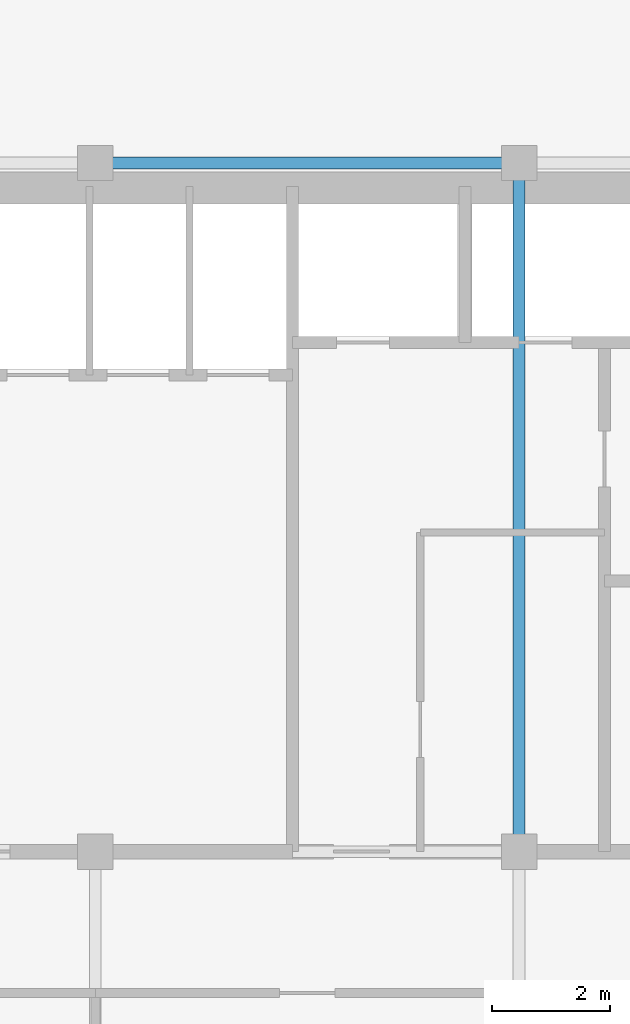
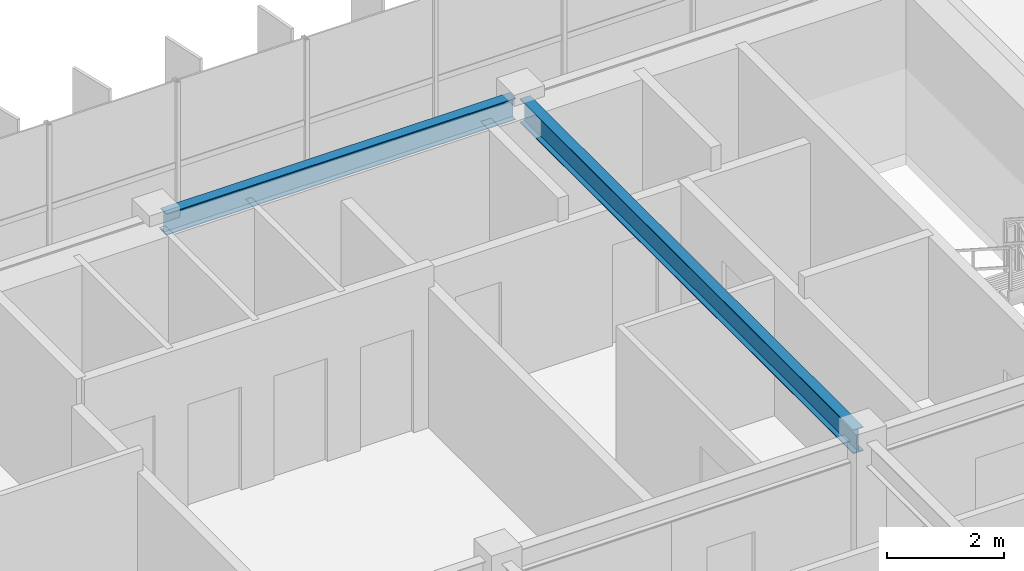
# One storey, part 10 of 21: 2 beams.
"""IFC4 building model written with IfcOpenShell, lengths in metres."""

from ifc_helpers import new_model, si_unit, direction, frame, origin, origin_2d, place, context, subcontext, project, spatial, i_section, extrude, source, transform, mapped, material, material_profile, profile_set, type_object, element, save


model = new_model("IFC4")

# Units and contexts
model_context = context("Model", 3, precision=1e-05, world=origin(), true_north=direction((0.0, 1.0)))
body_context = subcontext(model_context, "Body", "Model", "MODEL_VIEW")
ifc_project = project(units=[si_unit("LENGTHUNIT", "METRE"), si_unit("AREAUNIT", "SQUARE_METRE"), si_unit("VOLUMEUNIT", "CUBIC_METRE"), si_unit("PLANEANGLEUNIT", "RADIAN"), si_unit("MASSUNIT", "GRAM", prefix="KILO")], contexts=[model_context])

# Site, building, storey
site_placement = place(None, origin())
site = spatial("IfcSite", under=ifc_project, at=site_placement, CompositionType="ELEMENT")
building_placement = place(site_placement, origin())
building = spatial("IfcBuilding", under=site, at=building_placement, Name="Trelvane Seafront Commons", CompositionType="ELEMENT")
storey_placement = place(building_placement, frame((0.0, 0.0, 252.300048828125)))
storey = spatial("IfcBuildingStorey", under=building, at=storey_placement, Name="L65", CompositionType="ELEMENT", Elevation=252.300048828125)

# Beams
ifc_material = material(Name="Steel SM355 (S355)", Category="steel")
ifc_material_profile_1 = material_profile(ifc_material, i_section(OverallWidth=0.199951171875, OverallDepth=0.5, WebThickness=0.010009765625, FlangeThickness=0.01611328125, at=origin_2d()), Name="H-500x200x10x16")
ifc_profile_set_1 = profile_set([ifc_material_profile_1], Name="Steel SM355 (S355)")
beam_type_1 = type_object("IfcBeamType", Name="STR-BM-H500", PredefinedType="BEAM", material=ifc_profile_set_1)
shared_shape_1 = source(origin(), body_context, "Body", "SweptSolid", [
    extrude(i_section(OverallWidth=0.199951171875, OverallDepth=0.5, WebThickness=0.010009765625, FlangeThickness=0.01611328125, at=origin_2d()), origin(), (0.0, 0.0, 1.0), 11.39990234375),
])
beam_1_placement = place(storey_placement, frame((51.0, 33.550048828125, 3.119873046875), z_axis=(0.0, 1.0, 0.0), x_axis=(-1.0, 0.0, 0.0)))
element("IfcBeam", 1, at=beam_1_placement, inside=storey, type_object=beam_type_1, Name="L65 Primary Girder G-46", PredefinedType="BEAM", context=body_context, shape_type="MappedRepresentation", body=[
    mapped(shared_shape_1, transform((0.0, 0.0, 0.0), x_axis=(1.0, 0.0, 0.0), y_axis=(0.0, 1.0, 0.0), z_axis=(0.0, 0.0, 1.0), scale=1.0)),
])
ifc_material_profile_2 = material_profile(ifc_material, i_section(OverallWidth=0.199951171875, OverallDepth=0.449951171875, WebThickness=0.009033203125, FlangeThickness=0.013916015625, at=origin_2d()), Name="H-450x200x9x14")
ifc_profile_set_2 = profile_set([ifc_material_profile_2], Name="Steel SM355 (S355)")
beam_type_2 = type_object("IfcBeamType", Name="STR-SPD-H450", PredefinedType="SPANDREL", material=ifc_profile_set_2)
shared_shape_2 = source(origin(), body_context, "Body", "SweptSolid", [
    extrude(i_section(OverallWidth=0.199951171875, OverallDepth=0.449951171875, WebThickness=0.009033203125, FlangeThickness=0.013916015625, at=origin_2d()), origin(), (0.0, 0.0, 1.0), 6.900146484375),
])
beam_2_placement = place(storey_placement, frame((43.949951171875, 45.10009765625, 3.14501953125), z_axis=(1.0, 0.0, 0.0), x_axis=(0.0, 1.0, 0.0)))
element("IfcBeam", 2, at=beam_2_placement, inside=storey, type_object=beam_type_2, Name="L65 Primary Girder G-26", PredefinedType="SPANDREL", context=body_context, shape_type="MappedRepresentation", body=[
    mapped(shared_shape_2, transform((0.0, 0.0, 0.0), x_axis=(1.0, 0.0, 0.0), y_axis=(0.0, 1.0, 0.0), z_axis=(0.0, 0.0, 1.0), scale=1.0)),
])

save(model, "model.ifc")
